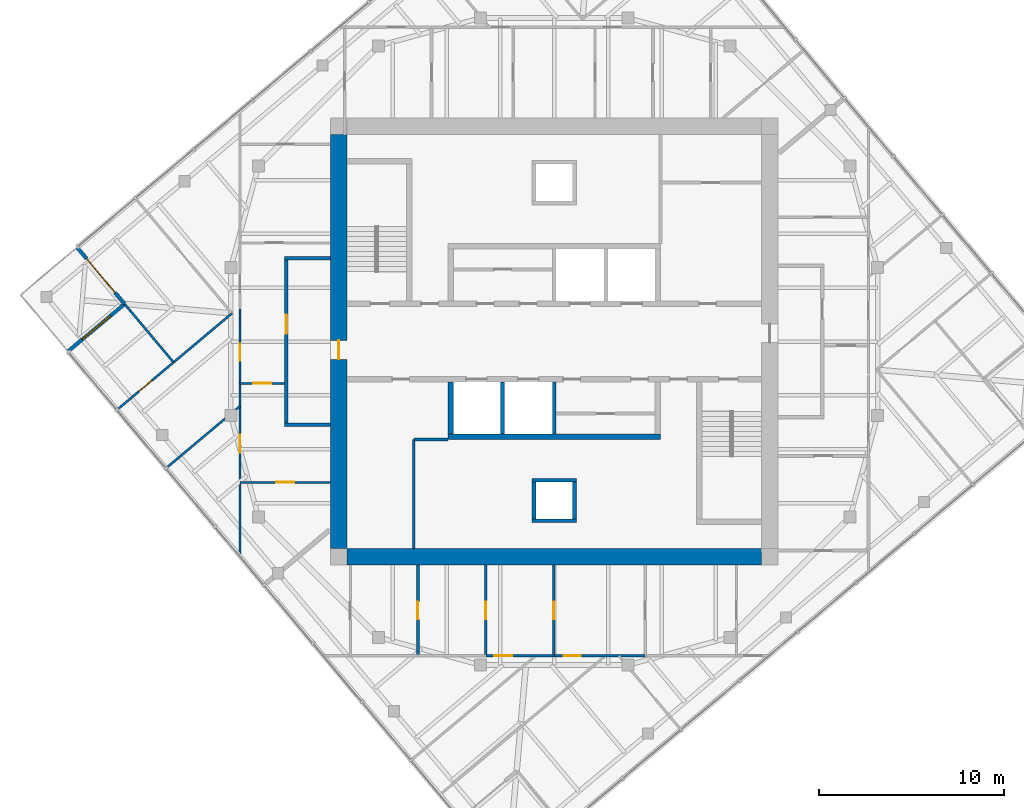
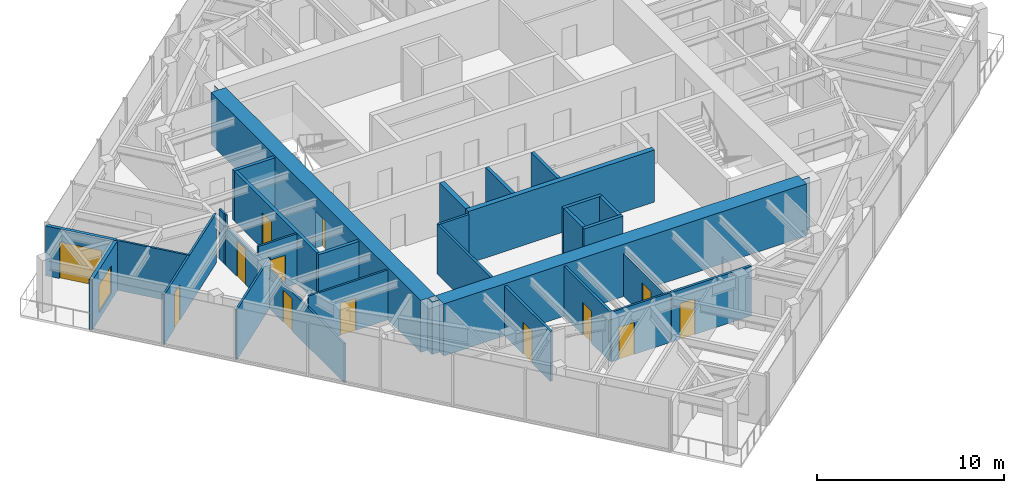
# One storey, part 7 of 12: 30 walls, 13 doors, 1 window, 14 openings.
"""IFC4 building model written with IfcOpenShell, lengths in metres."""

from ifc_helpers import new_model, si_unit, direction, frame, frame_2d, origin, place, context, subcontext, project, spatial, polyline, rectangle, outline, extrude, material, layer, layer_set, type_object, element, fill, save


model = new_model("IFC4")

# Units and contexts
model_context = context("Model", 3, precision=1e-05, world=origin(), true_north=direction((0.0, 1.0)))
body_context = subcontext(model_context, "Body", "Model", "MODEL_VIEW")
ifc_project = project(units=[si_unit("LENGTHUNIT", "METRE"), si_unit("AREAUNIT", "SQUARE_METRE"), si_unit("VOLUMEUNIT", "CUBIC_METRE"), si_unit("PLANEANGLEUNIT", "RADIAN"), si_unit("MASSUNIT", "GRAM", prefix="KILO")], contexts=[model_context])

# Site, building, storey
site_placement = place(None, origin())
site = spatial("IfcSite", under=ifc_project, at=site_placement, CompositionType="ELEMENT")
building_placement = place(site_placement, origin())
building = spatial("IfcBuilding", under=site, at=building_placement, Name="Torsade Residences", CompositionType="ELEMENT")
storey_placement = place(building_placement, frame((0.0, 0.0, 279.39990234375)))
storey = spatial("IfcBuildingStorey", under=building, at=storey_placement, Name="L77", CompositionType="ELEMENT", Elevation=279.39990234375)

# Walls
ifc_material_1 = material(Name="Concrete 80 MPa", Category="concrete")
ifc_layer_1 = layer(ifc_material_1, 0.300048828125)
ifc_layer_set_1 = layer_set([ifc_layer_1], Name="Concrete 80 MPa")
wall_type_1 = type_object("IfcWallType", Name="CORE INTERNAL WALL 300", PredefinedType="SHEAR", material=ifc_layer_set_1)
wall_1_placement = place(storey_placement, frame((45.75, 24.85009765625, 0.0), z_axis=(0.0, 0.0, 1.0), x_axis=(-1.0, 0.0, 0.0)))
element("IfcWall", 1, at=wall_1_placement, inside=storey, type_object=wall_type_1, Name="Core wall BS L77", PredefinedType="SHEAR", context=body_context, shape_type="SweptSolid", body=[
    extrude(rectangle(XDim=11.5, YDim=0.300048828125, at=frame_2d((5.75, 0.0))), origin(), (0.0, 0.0, 1.0), 3.400146484375),
])
wall_2_placement = place(storey_placement, frame((34.39990234375, 27.800048828125, 0.0), z_axis=(0.0, 0.0, 1.0), x_axis=(0.0, -1.0, 0.0)))
element("IfcWall", 2, at=wall_2_placement, inside=storey, type_object=wall_type_1, Name="Core wall DS4 L77", PredefinedType="SHEAR", context=body_context, shape_type="SweptSolid", body=[
    extrude(rectangle(XDim=2.800048828125, YDim=0.300048828125, at=frame_2d((1.39990234375, 0.0))), origin(), (0.0, 0.0, 1.0), 3.400146484375),
])
ifc_material_2 = material(Name="Concrete 80 MPa", Category="concrete")
ifc_layer_2 = layer(ifc_material_2, 0.89990234375)
ifc_layer_set_2 = layer_set([ifc_layer_2], Name="Concrete 80 MPa")
wall_type_2 = type_object("IfcWallType", Name="CORE WALL 900", PredefinedType="SHEAR", material=ifc_layer_set_2)
wall_3_placement = place(storey_placement, frame((51.199951171875, 18.35009765625, 0.0), z_axis=(0.0, 0.0, 1.0), x_axis=(-1.0, 0.0, 0.0)))
element("IfcWall", 3, at=wall_3_placement, inside=storey, type_object=wall_type_2, Name="Core wall S L77", PredefinedType="SHEAR", context=body_context, shape_type="SweptSolid", body=[
    extrude(outline(polyline([(0.0, -0.449951171875), (22.39990234375, -0.449951171875), (22.39990234375, -0.02490234375), (22.849853515625, -0.02490234375), (22.849853515625, 0.02490234375), (22.39990234375, 0.02490234375), (22.39990234375, 0.449951171875), (0.0, 0.449951171875), (0.0, 0.02490234375), (-0.449951171875, 0.02490234375), (-0.449951171875, -0.02490234375), (0.0, -0.02490234375), (0.0, -0.449951171875)])), origin(), (0.0, 0.0, 1.0), 3.400146484375),
])

# Wall, opening, door
wall_4_placement = place(storey_placement, frame((28.35009765625, 41.199951171875, 0.0), z_axis=(0.0, 0.0, 1.0), x_axis=(0.0, -1.0, 0.0)))
wall_4 = element("IfcWall", 4, at=wall_4_placement, inside=storey, type_object=wall_type_2, Name="Core wall W L77", PredefinedType="SHEAR", context=body_context, shape_type="SweptSolid", body=[
    extrude(outline(polyline([(0.0, -0.449951171875), (22.39990234375, -0.449951171875), (22.39990234375, -0.02490234375), (22.849853515625, -0.02490234375), (22.849853515625, 0.02490234375), (22.39990234375, 0.02490234375), (22.39990234375, 0.449951171875), (0.0, 0.449951171875), (0.0, 0.02490234375), (-0.449951171875, 0.02490234375), (-0.449951171875, -0.02490234375), (0.0, -0.02490234375), (0.0, -0.449951171875)])), origin(), (0.0, 0.0, 1.0), 3.400146484375),
])
opening_1_placement = place(wall_4_placement, frame((11.139892578125, 0.0, 0.0)))
opening_1 = element("IfcOpeningElement", 5, at=opening_1_placement, cuts=wall_4, Name="Opening D04", PredefinedType="OPENING", context=body_context, shape_type="SweptSolid", body=[
    extrude(rectangle(XDim=1.02001953125, YDim=2.39990234375, at=frame_2d((0.510009765625, 1.199951171875))), frame((0.0, 0.4599609375, 0.0), z_axis=(0.0, -1.0, 0.0), x_axis=(1.0, 0.0, 0.0)), (0.0, 0.0, 1.0), 0.919921875),
])
ifc_material_3 = material(Name="Steel-framed fire door", Category="steel")
door_type_1 = type_object("IfcDoorType", Name="LOBBY SMOKE DOOR 1020x2400", OperationType="NOTDEFINED", PredefinedType="DOOR", material=ifc_material_3)
door_1_placement = place(opening_1_placement, origin())
door_1 = element("IfcDoor", 6, at=door_1_placement, inside=storey, type_object=door_type_1, Name="Lift lobby door W L77", OperationType="SINGLE_SWING_RIGHT", OverallHeight=2.39990234375, OverallWidth=1.02001953125, PredefinedType="DOOR", context=body_context, shape_type="SweptSolid", body=[
    extrude(rectangle(XDim=1.02001953125, YDim=2.39990234375, at=frame_2d((0.510009765625, 1.199951171875))), frame((0.0, 0.02490234375, 0.0), z_axis=(0.0, -1.0, 0.0), x_axis=(1.0, 0.0, 0.0)), (0.0, 0.0, 1.0), 0.050048828125),
])
fill(opening_1, door_1)

ifc_material_4 = material(Name="Plasterboard on steel stud", Category="steel")
ifc_layer_3 = layer(ifc_material_4, 0.199951171875)
ifc_layer_set_3 = layer_set([ifc_layer_3], Name="Plasterboard on steel stud")
wall_type_3 = type_object("IfcWallType", Name="CORRIDOR WALL 200", PredefinedType="PARTITIONING", material=ifc_layer_set_3)
wall_5_placement = place(storey_placement, frame((25.5, 25.5, 0.0), z_axis=(0.0, 0.0, 1.0), x_axis=(0.0, 1.0, 0.0)))
wall_5 = element("IfcWall", 7, at=wall_5_placement, inside=storey, type_object=wall_type_3, Name="Corridor wall L77", PredefinedType="PARTITIONING", context=body_context, shape_type="SweptSolid", body=[
    extrude(rectangle(XDim=9.0, YDim=0.199951171875, at=frame_2d((4.5, 0.0))), origin(), (0.0, 0.0, 1.0), 3.25),
])
opening_2_placement = place(wall_5_placement, frame((4.932861328125, 0.0, 0.0)))
opening_2 = element("IfcOpeningElement", 8, at=opening_2_placement, cuts=wall_5, Name="Opening D01", PredefinedType="OPENING", context=body_context, shape_type="SweptSolid", body=[
    extrude(rectangle(XDim=1.02001953125, YDim=2.340087890625, at=frame_2d((0.510009765625, 1.169921875))), frame((0.0, 0.10986328125, 0.0), z_axis=(0.0, -1.0, 0.0), x_axis=(1.0, 0.0, 0.0)), (0.0, 0.0, 1.0), 0.219970703125),
])
ifc_material_5 = material(Name="Solid-core timber fire door", Category="wood")
door_type_2 = type_object("IfcDoorType", Name="APARTMENT ENTRY DOOR 1020x2340", OperationType="NOTDEFINED", PredefinedType="DOOR", material=ifc_material_5)
door_2_placement = place(opening_2_placement, origin())
door_2 = element("IfcDoor", 9, at=door_2_placement, inside=storey, type_object=door_type_2, Name="Door Residential corridor to Kitchen and dining", OperationType="SINGLE_SWING_LEFT", OverallHeight=2.340087890625, OverallWidth=1.02001953125, PredefinedType="DOOR", context=body_context, shape_type="SweptSolid", body=[
    extrude(rectangle(XDim=1.02001953125, YDim=2.340087890625, at=frame_2d((0.510009765625, 1.169921875))), frame((0.0, 0.02490234375, 0.0), z_axis=(0.0, -1.0, 0.0), x_axis=(1.0, 0.0, 0.0)), (0.0, 0.0, 1.0), 0.050048828125),
])
fill(opening_2, door_2)

# Walls
for number, where, z_axis, x_axis, name in (
    (10, (27.89990234375, 34.5, 0.0), (0.0, 0.0, 1.0), (-1.0, 0.0, 0.0), "Corridor wall L77"),
    (11, (27.89990234375, 25.5, 0.0), (0.0, 0.0, 1.0), (-1.0, 0.0, 0.0), "Corridor wall L77"),
):
    element("IfcWall", number, at=place(storey_placement, frame(where, z_axis=z_axis, x_axis=x_axis)), inside=storey, type_object=wall_type_3, Name=name, PredefinedType="PARTITIONING", context=body_context, shape_type="SweptSolid", body=[
        extrude(rectangle(XDim=2.5, YDim=0.199951171875, at=frame_2d((1.25, 0.0))), origin(), (0.0, 0.0, 1.0), 3.25),
    ])
ifc_material_6 = material(Name="Reinforced blockwork", Category="masonry")
ifc_layer_4 = layer(ifc_material_6, 0.199951171875)
ifc_layer_set_4 = layer_set([ifc_layer_4], Name="Reinforced blockwork")
wall_type_4 = type_object("IfcWallType", Name="LIFT SHAFT DIVIDING WALL 200", PredefinedType="SOLIDWALL", material=ifc_layer_set_4)
for number, where, z_axis, x_axis, name in (
    (12, (40.0, 27.800048828125, 0.0), (0.0, 0.0, 1.0), (0.0, -1.0, 0.0), "Core wall DS2 L77"),
    (13, (37.199951171875, 27.800048828125, 0.0), (0.0, 0.0, 1.0), (0.0, -1.0, 0.0), "Core wall DS3 L77"),
):
    element("IfcWall", number, at=place(storey_placement, frame(where, z_axis=z_axis, x_axis=x_axis)), inside=storey, type_object=wall_type_4, Name=name, PredefinedType="SOLIDWALL", context=body_context, shape_type="SweptSolid", body=[
        extrude(rectangle(XDim=2.800048828125, YDim=0.199951171875, at=frame_2d((1.39990234375, 0.0))), origin(), (0.0, 0.0, 1.0), 3.400146484375),
    ])

# Wall, opening, door
ifc_material_7 = material(Name="Plasterboard on steel stud", Category="steel")
ifc_layer_5 = layer(ifc_material_7, 0.1201171875)
ifc_layer_set_5 = layer_set([ifc_layer_5], Name="Plasterboard on steel stud")
wall_type_5 = type_object("IfcWallType", Name="PARTITION 120", PredefinedType="PARTITIONING", material=ifc_layer_set_5)
wall_6_placement = place(storey_placement, frame((39.976318359375, 13.0, 0.0), z_axis=(0.0, 0.0, 1.0), x_axis=(-1.0, 0.0, 0.0)))
wall_6 = element("IfcWall", 14, at=wall_6_placement, inside=storey, type_object=wall_type_5, Name="Partition L77", PredefinedType="PARTITIONING", context=body_context, shape_type="SweptSolid", body=[
    extrude(rectangle(XDim=3.67578125, YDim=0.1201171875, at=frame_2d((1.837890625, 0.0))), origin(), (0.0, 0.0, 1.0), 3.25),
])
opening_3_placement = place(wall_6_placement, frame((2.2607421875, 0.0, 0.0)))
opening_3 = element("IfcOpeningElement", 15, at=opening_3_placement, cuts=wall_6, Name="Opening D05", PredefinedType="OPENING", context=body_context, shape_type="SweptSolid", body=[
    extrude(rectangle(XDim=0.9599609375, YDim=2.10009765625, at=frame_2d((0.47998046875, 1.050048828125))), frame((0.0, 0.070068359375, 0.0), z_axis=(0.0, -1.0, 0.0), x_axis=(1.0, 0.0, 0.0)), (0.0, 0.0, 1.0), 0.14013671875),
])
ifc_material_8 = material(Name="Hollow-core timber door in a steel cavity frame", Category="steel")
door_type_3 = type_object("IfcDoorType", Name="BATHROOM CAVITY SLIDING DOOR 960", OperationType="SLIDING_TO_LEFT", PredefinedType="DOOR", material=ifc_material_8)
door_3_placement = place(opening_3_placement, origin())
door_3 = element("IfcDoor", 16, at=door_3_placement, inside=storey, type_object=door_type_3, Name="Door WC to Bedroom 2", OperationType="SLIDING_TO_LEFT", OverallHeight=2.10009765625, OverallWidth=0.9599609375, PredefinedType="DOOR", context=body_context, shape_type="SweptSolid", body=[
    extrude(rectangle(XDim=0.9599609375, YDim=2.10009765625, at=frame_2d((0.47998046875, 1.050048828125))), frame((0.0, 0.02490234375, 0.0), z_axis=(0.0, -1.0, 0.0), x_axis=(1.0, 0.0, 0.0)), (0.0, 0.0, 1.0), 0.050048828125),
])
fill(opening_3, door_3)

wall_7_placement = place(storey_placement, frame((25.39990234375, 27.735595703125, 0.0), z_axis=(0.0, 0.0, 1.0), x_axis=(-1.0, 0.0, 0.0)))
wall_7 = element("IfcWall", 17, at=wall_7_placement, inside=storey, type_object=wall_type_5, Name="Partition L77", PredefinedType="PARTITIONING", context=body_context, shape_type="SweptSolid", body=[
    extrude(rectangle(XDim=2.39990234375, YDim=0.1201171875, at=frame_2d((1.199951171875, 0.0))), origin(), (0.0, 0.0, 1.0), 3.25),
])
opening_4_placement = place(wall_7_placement, frame((0.719970703125, 0.0, 0.0)))
opening_4 = element("IfcOpeningElement", 18, at=opening_4_placement, cuts=wall_7, Name="Opening D05", PredefinedType="OPENING", context=body_context, shape_type="SweptSolid", body=[
    extrude(rectangle(XDim=0.9599609375, YDim=2.10009765625, at=frame_2d((0.47998046875, 1.050048828125))), frame((0.0, 0.070068359375, 0.0), z_axis=(0.0, -1.0, 0.0), x_axis=(1.0, 0.0, 0.0)), (0.0, 0.0, 1.0), 0.14013671875),
])
door_4_placement = place(opening_4_placement, origin())
door_4 = element("IfcDoor", 19, at=door_4_placement, inside=storey, type_object=door_type_3, Name="Door Kitchen and dining to Bathroom", OperationType="SLIDING_TO_LEFT", OverallHeight=2.10009765625, OverallWidth=0.9599609375, PredefinedType="DOOR", context=body_context, shape_type="SweptSolid", body=[
    extrude(rectangle(XDim=0.9599609375, YDim=2.10009765625, at=frame_2d((0.47998046875, 1.050048828125))), frame((0.0, 0.02490234375, 0.0), z_axis=(0.0, -1.0, 0.0), x_axis=(1.0, 0.0, 0.0)), (0.0, 0.0, 1.0), 0.050048828125),
])
fill(opening_4, door_4)

# Wall
wall_8_placement = place(storey_placement, frame((23.0, 31.257568359375, 0.0), z_axis=(0.0, 0.0, 1.0), x_axis=(0.0, 1.0, 0.0)))
element("IfcWall", 20, at=wall_8_placement, inside=storey, type_object=wall_type_5, Name="Partition L77", PredefinedType="PARTITIONING", context=body_context, shape_type="SweptSolid", body=[
    extrude(rectangle(XDim=0.503662109375, YDim=0.1201171875, at=frame_2d((0.251953125, 0.0))), origin(), (0.0, 0.0, 1.0), 3.25),
])

# Wall, openings, doors
wall_9_placement = place(storey_placement, frame((23.0, 18.4296875, 0.0), z_axis=(0.0, 0.0, 1.0), x_axis=(0.0, 1.0, 0.0)))
wall_9 = element("IfcWall", 21, at=wall_9_placement, inside=storey, type_object=wall_type_5, Name="Partition L77", PredefinedType="PARTITIONING", context=body_context, shape_type="SweptSolid", body=[
    extrude(rectangle(XDim=12.65576171875, YDim=0.1201171875, at=frame_2d((6.327880859375, 0.0))), origin(), (0.0, 0.0, 1.0), 2.550048828125),
])
opening_5_placement = place(wall_9_placement, frame((10.520751953125, 0.0, 0.0)))
opening_5 = element("IfcOpeningElement", 22, at=opening_5_placement, cuts=wall_9, Name="Opening D02", PredefinedType="OPENING", context=body_context, shape_type="SweptSolid", body=[
    extrude(rectangle(XDim=0.919921875, YDim=2.340087890625, at=frame_2d((0.4599609375, 1.169921875))), frame((0.0, 0.070068359375, 0.0), z_axis=(0.0, -1.0, 0.0), x_axis=(1.0, 0.0, 0.0)), (0.0, 0.0, 1.0), 0.14013671875),
])
opening_6_placement = place(wall_9_placement, frame((5.5654296875, 0.0, 0.0)))
opening_6 = element("IfcOpeningElement", 23, at=opening_6_placement, cuts=wall_9, Name="Opening D05", PredefinedType="OPENING", context=body_context, shape_type="SweptSolid", body=[
    extrude(rectangle(XDim=0.9599609375, YDim=2.10009765625, at=frame_2d((0.47998046875, 1.050048828125))), frame((0.0, 0.070068359375, 0.0), z_axis=(0.0, -1.0, 0.0), x_axis=(1.0, 0.0, 0.0)), (0.0, 0.0, 1.0), 0.14013671875),
])
door_5_placement = place(opening_6_placement, origin())
door_5 = element("IfcDoor", 24, at=door_5_placement, inside=storey, type_object=door_type_3, Name="Door Bathroom to Media room", OperationType="SLIDING_TO_LEFT", OverallHeight=2.10009765625, OverallWidth=0.9599609375, PredefinedType="DOOR", context=body_context, shape_type="SweptSolid", body=[
    extrude(rectangle(XDim=0.9599609375, YDim=2.10009765625, at=frame_2d((0.47998046875, 1.050048828125))), frame((0.0, 0.02490234375, 0.0), z_axis=(0.0, -1.0, 0.0), x_axis=(1.0, 0.0, 0.0)), (0.0, 0.0, 1.0), 0.050048828125),
])
fill(opening_6, door_5)
ifc_material_9 = material(Name="Hollow-core timber door", Category="wood")
door_type_4 = type_object("IfcDoorType", Name="INTERNAL DOOR 920x2340", OperationType="NOTDEFINED", PredefinedType="DOOR", material=ifc_material_9)
door_6_placement = place(opening_5_placement, origin())
door_6 = element("IfcDoor", 25, at=door_6_placement, inside=storey, type_object=door_type_4, Name="Door Kitchen and dining to Bedroom 5", OperationType="SINGLE_SWING_LEFT", OverallHeight=2.340087890625, OverallWidth=0.919921875, PredefinedType="DOOR", context=body_context, shape_type="SweptSolid", body=[
    extrude(rectangle(XDim=0.919921875, YDim=2.340087890625, at=frame_2d((0.4599609375, 1.169921875))), frame((0.0, 0.02490234375, 0.0), z_axis=(0.0, -1.0, 0.0), x_axis=(1.0, 0.0, 0.0)), (0.0, 0.0, 1.0), 0.050048828125),
])
fill(opening_5, door_6)

# Wall, opening, door
wall_10_placement = place(storey_placement, frame((27.89990234375, 22.3798828125, 0.0), z_axis=(0.0, 0.0, 1.0), x_axis=(-1.0, 0.0, 0.0)))
wall_10 = element("IfcWall", 26, at=wall_10_placement, inside=storey, type_object=wall_type_5, Name="Partition L77", PredefinedType="PARTITIONING", context=body_context, shape_type="SweptSolid", body=[
    extrude(rectangle(XDim=4.89990234375, YDim=0.1201171875, at=frame_2d((2.449951171875, 0.0))), origin(), (0.0, 0.0, 1.0), 3.25),
])
opening_7_placement = place(wall_10_placement, frame((1.969970703125, 0.0, 0.0)))
opening_7 = element("IfcOpeningElement", 27, at=opening_7_placement, cuts=wall_10, Name="Opening D05", PredefinedType="OPENING", context=body_context, shape_type="SweptSolid", body=[
    extrude(rectangle(XDim=0.9599609375, YDim=2.10009765625, at=frame_2d((0.47998046875, 1.050048828125))), frame((0.0, 0.070068359375, 0.0), z_axis=(0.0, -1.0, 0.0), x_axis=(1.0, 0.0, 0.0)), (0.0, 0.0, 1.0), 0.14013671875),
])
door_7_placement = place(opening_7_placement, origin())
door_7 = element("IfcDoor", 28, at=door_7_placement, inside=storey, type_object=door_type_3, Name="Door Bathroom to Dressing room", OperationType="SLIDING_TO_LEFT", OverallHeight=2.10009765625, OverallWidth=0.9599609375, PredefinedType="DOOR", context=body_context, shape_type="SweptSolid", body=[
    extrude(rectangle(XDim=0.9599609375, YDim=2.10009765625, at=frame_2d((0.47998046875, 1.050048828125))), frame((0.0, 0.02490234375, 0.0), z_axis=(0.0, -1.0, 0.0), x_axis=(1.0, 0.0, 0.0)), (0.0, 0.0, 1.0), 0.050048828125),
])
fill(opening_7, door_7)

wall_11_placement = place(storey_placement, frame((22.565673828125, 31.525390625, 0.0), z_axis=(0.0, 0.0, 1.0), x_axis=(-0.766033729027, -0.642800378028, 0.0)))
wall_11 = element("IfcWall", 29, at=wall_11_placement, inside=storey, type_object=wall_type_5, Name="Partition L77", PredefinedType="PARTITIONING", context=body_context, shape_type="SweptSolid", body=[
    extrude(rectangle(XDim=8.0849609375, YDim=0.1201171875, at=frame_2d((4.04248046875, 0.0))), origin(), (0.0, 0.0, 1.0), 3.25),
])
opening_8_placement = place(wall_11_placement, frame((5.639892578125, 0.0, 0.0)))
opening_8 = element("IfcOpeningElement", 30, at=opening_8_placement, cuts=wall_11, Name="Opening D02", PredefinedType="OPENING", context=body_context, shape_type="SweptSolid", body=[
    extrude(rectangle(XDim=0.919921875, YDim=2.340087890625, at=frame_2d((0.4599609375, 1.169921875))), frame((0.0, 0.070068359375, 0.0), z_axis=(0.0, -1.0, 0.0), x_axis=(1.0, 0.0, 0.0)), (0.0, 0.0, 1.0), 0.14013671875),
])
door_8_placement = place(opening_8_placement, origin())
door_8 = element("IfcDoor", 31, at=door_8_placement, inside=storey, type_object=door_type_4, Name="Door Bedroom 5 to Study 2", OperationType="SINGLE_SWING_LEFT", OverallHeight=2.340087890625, OverallWidth=0.919921875, PredefinedType="DOOR", context=body_context, shape_type="SweptSolid", body=[
    extrude(rectangle(XDim=0.919921875, YDim=2.340087890625, at=frame_2d((0.4599609375, 1.169921875))), frame((0.0, 0.02490234375, 0.0), z_axis=(0.0, -1.0, 0.0), x_axis=(1.0, 0.0, 0.0)), (0.0, 0.0, 1.0), 0.050048828125),
])
fill(opening_8, door_8)

# Walls
wall_12_placement = place(storey_placement, frame((19.40576171875, 28.873779296875, 0.0), z_axis=(0.0, 0.0, 1.0), x_axis=(-0.642767300664, 0.766061483953, 0.0)))
element("IfcWall", 32, at=wall_12_placement, inside=storey, type_object=wall_type_5, Name="Partition L77", PredefinedType="PARTITIONING", context=body_context, shape_type="SweptSolid", body=[
    extrude(rectangle(XDim=4.0849609375, YDim=0.1201171875, at=frame_2d((2.04248046875, 0.0))), origin(), (0.0, 0.0, 1.0), 3.25),
])
wall_13_placement = place(storey_placement, frame((23.0, 26.5048828125, 0.0), z_axis=(0.0, 0.0, 1.0), x_axis=(-0.76605407051, -0.642776136034, 0.0)))
element("IfcWall", 33, at=wall_13_placement, inside=storey, type_object=wall_type_5, Name="Partition L77", PredefinedType="PARTITIONING", context=body_context, shape_type="SweptSolid", body=[
    extrude(rectangle(XDim=5.190673828125, YDim=0.1201171875, at=frame_2d((2.59521484375, 0.0))), origin(), (0.0, 0.0, 1.0), 3.25),
])
wall_14_placement = place(storey_placement, frame((23.0, 31.257568359375, 0.0), z_axis=(0.0, 0.0, 1.0), x_axis=(0.0, -1.0, 0.0)))
element("IfcWall", 34, at=wall_14_placement, inside=storey, type_object=wall_type_5, Name="Partition L77", PredefinedType="PARTITIONING", context=body_context, shape_type="SweptSolid", body=[
    extrude(rectangle(XDim=0.172119140625, YDim=0.1201171875, at=frame_2d((0.0859375, 0.0))), origin(), (0.0, 0.0, 1.0), 3.25),
])
ifc_material_10 = material(Name="Reinforced blockwork", Category="masonry")
ifc_layer_6 = layer(ifc_material_10, 0.199951171875)
ifc_layer_set_6 = layer_set([ifc_layer_6], Name="Reinforced blockwork")
wall_type_6 = type_object("IfcWallType", Name="RISER SHAFT WALL 200", PredefinedType="SOLIDWALL", material=ifc_layer_set_6)
for number, where, z_axis, x_axis, name in (
    (35, (38.89990234375, 22.39990234375, 0.0), (0.0, 0.0, 1.0), (0.0, -1.0, 0.0), "Core wall RS2a L77"),
    (36, (41.10009765625, 22.39990234375, 0.0), (0.0, 0.0, 1.0), (0.0, -1.0, 0.0), "Core wall RS2b L77"),
):
    element("IfcWall", number, at=place(storey_placement, frame(where, z_axis=z_axis, x_axis=x_axis)), inside=storey, type_object=wall_type_6, Name=name, PredefinedType="SOLIDWALL", context=body_context, shape_type="SweptSolid", body=[
        extrude(rectangle(XDim=2.0, YDim=0.199951171875, at=frame_2d((1.0, 0.0))), origin(), (0.0, 0.0, 1.0), 3.400146484375),
    ])
for number, where, z_axis, x_axis, name in (
    (37, (38.800048828125, 22.5, 0.0), (0.0, 0.0, 1.0), (1.0, 0.0, 0.0), "Core wall RS2c L77"),
    (38, (38.800048828125, 20.300048828125, 0.0), (0.0, 0.0, 1.0), (1.0, 0.0, 0.0), "Core wall RS2d L77"),
):
    element("IfcWall", number, at=place(storey_placement, frame(where, z_axis=z_axis, x_axis=x_axis)), inside=storey, type_object=wall_type_6, Name=name, PredefinedType="SOLIDWALL", context=body_context, shape_type="SweptSolid", body=[
        extrude(rectangle(XDim=2.39990234375, YDim=0.199951171875, at=frame_2d((1.199951171875, 0.0))), origin(), (0.0, 0.0, 1.0), 3.400146484375),
    ])
ifc_material_11 = material(Name="Reinforced blockwork", Category="masonry")
ifc_layer_7 = layer(ifc_material_11, 0.14990234375)
ifc_layer_set_7 = layer_set([ifc_layer_7], Name="Reinforced blockwork")
wall_type_7 = type_object("IfcWallType", Name="SERVICE ROOM WALL 150", PredefinedType="SOLIDWALL", material=ifc_layer_set_7)
wall_15_placement = place(storey_placement, frame((32.39990234375, 18.800048828125, 0.0), z_axis=(0.0, 0.0, 1.0), x_axis=(0.0, 1.0, 0.0)))
element("IfcWall", 39, at=wall_15_placement, inside=storey, type_object=wall_type_7, Name="Service room wall L77", PredefinedType="SOLIDWALL", context=body_context, shape_type="SweptSolid", body=[
    extrude(rectangle(XDim=5.89990234375, YDim=0.14990234375, at=frame_2d((2.949951171875, 0.0))), origin(), (0.0, 0.0, 1.0), 3.25),
])
wall_16_placement = place(storey_placement, frame((32.39990234375, 24.699951171875, 0.0), z_axis=(0.0, 0.0, 1.0), x_axis=(1.0, 0.0, 0.0)))
element("IfcWall", 40, at=wall_16_placement, inside=storey, type_object=wall_type_7, Name="Service room wall L77", PredefinedType="SOLIDWALL", context=body_context, shape_type="SweptSolid", body=[
    extrude(rectangle(XDim=1.85009765625, YDim=0.14990234375, at=frame_2d((0.925048828125, 0.0))), origin(), (0.0, 0.0, 1.0), 3.25),
])

# Wall, opening, door
wall_17_placement = place(storey_placement, frame((32.625, 17.89990234375, 0.0), z_axis=(0.0, 0.0, 1.0), x_axis=(0.0, -1.0, 0.0)))
wall_17 = element("IfcWall", 41, at=wall_17_placement, inside=storey, type_object=wall_type_7, Name="Service room wall L77", PredefinedType="SOLIDWALL", context=body_context, shape_type="SweptSolid", body=[
    extrude(rectangle(XDim=4.89990234375, YDim=0.14990234375, at=frame_2d((2.449951171875, 0.0))), origin(), (0.0, 0.0, 1.0), 3.25),
])
opening_9_placement = place(wall_17_placement, frame((1.969970703125, 0.0, 0.0)))
opening_9 = element("IfcOpeningElement", 42, at=opening_9_placement, cuts=wall_17, Name="Opening D05", PredefinedType="OPENING", context=body_context, shape_type="SweptSolid", body=[
    extrude(rectangle(XDim=0.9599609375, YDim=2.10009765625, at=frame_2d((0.47998046875, 1.050048828125))), frame((0.0, 0.0849609375, 0.0), z_axis=(0.0, -1.0, 0.0), x_axis=(1.0, 0.0, 0.0)), (0.0, 0.0, 1.0), 0.169921875),
])
door_9_placement = place(opening_9_placement, origin())
door_9 = element("IfcDoor", 43, at=door_9_placement, inside=storey, type_object=door_type_3, Name="Door Linen store to Ensuite", OperationType="SLIDING_TO_LEFT", OverallHeight=2.10009765625, OverallWidth=0.9599609375, PredefinedType="DOOR", context=body_context, shape_type="SweptSolid", body=[
    extrude(rectangle(XDim=0.9599609375, YDim=2.10009765625, at=frame_2d((0.47998046875, 1.050048828125))), frame((0.0, 0.02490234375, 0.0), z_axis=(0.0, -1.0, 0.0), x_axis=(1.0, 0.0, 0.0)), (0.0, 0.0, 1.0), 0.050048828125),
])
fill(opening_9, door_9)

wall_18_placement = place(storey_placement, frame((36.300537109375, 13.0, 0.0), z_axis=(0.0, 0.0, 1.0), x_axis=(0.0, 1.0, 0.0)))
wall_18 = element("IfcWall", 44, at=wall_18_placement, inside=storey, type_object=wall_type_7, Name="Service room wall L77", PredefinedType="SOLIDWALL", context=body_context, shape_type="SweptSolid", body=[
    extrude(rectangle(XDim=4.89990234375, YDim=0.14990234375, at=frame_2d((2.449951171875, 0.0))), origin(), (0.0, 0.0, 1.0), 3.25),
])
opening_10_placement = place(wall_18_placement, frame((1.969970703125, 0.0, 0.0)))
opening_10 = element("IfcOpeningElement", 45, at=opening_10_placement, cuts=wall_18, Name="Opening D05", PredefinedType="OPENING", context=body_context, shape_type="SweptSolid", body=[
    extrude(rectangle(XDim=0.9599609375, YDim=2.10009765625, at=frame_2d((0.47998046875, 1.050048828125))), frame((0.0, 0.0849609375, 0.0), z_axis=(0.0, -1.0, 0.0), x_axis=(1.0, 0.0, 0.0)), (0.0, 0.0, 1.0), 0.169921875),
])
door_10_placement = place(opening_10_placement, origin())
door_10 = element("IfcDoor", 46, at=door_10_placement, inside=storey, type_object=door_type_3, Name="Door WC to Linen store", OperationType="SLIDING_TO_LEFT", OverallHeight=2.10009765625, OverallWidth=0.9599609375, PredefinedType="DOOR", context=body_context, shape_type="SweptSolid", body=[
    extrude(rectangle(XDim=0.9599609375, YDim=2.10009765625, at=frame_2d((0.47998046875, 1.050048828125))), frame((0.0, 0.02490234375, 0.0), z_axis=(0.0, -1.0, 0.0), x_axis=(1.0, 0.0, 0.0)), (0.0, 0.0, 1.0), 0.050048828125),
])
fill(opening_10, door_10)

wall_19_placement = place(storey_placement, frame((39.976318359375, 17.89990234375, 0.0), z_axis=(0.0, 0.0, 1.0), x_axis=(0.0, -1.0, 0.0)))
wall_19 = element("IfcWall", 47, at=wall_19_placement, inside=storey, type_object=wall_type_7, Name="Service room wall L77", PredefinedType="SOLIDWALL", context=body_context, shape_type="SweptSolid", body=[
    extrude(rectangle(XDim=4.89990234375, YDim=0.14990234375, at=frame_2d((2.449951171875, 0.0))), origin(), (0.0, 0.0, 1.0), 2.796142578125),
])
opening_11_placement = place(wall_19_placement, frame((1.969970703125, 0.0, 0.0)))
opening_11 = element("IfcOpeningElement", 48, at=opening_11_placement, cuts=wall_19, Name="Opening D05", PredefinedType="OPENING", context=body_context, shape_type="SweptSolid", body=[
    extrude(rectangle(XDim=0.9599609375, YDim=2.10009765625, at=frame_2d((0.47998046875, 1.050048828125))), frame((0.0, 0.0849609375, 0.0), z_axis=(0.0, -1.0, 0.0), x_axis=(1.0, 0.0, 0.0)), (0.0, 0.0, 1.0), 0.169921875),
])
door_11_placement = place(opening_11_placement, origin())
door_11 = element("IfcDoor", 49, at=door_11_placement, inside=storey, type_object=door_type_3, Name="Door Linen store 2 to WC", OperationType="SLIDING_TO_LEFT", OverallHeight=2.10009765625, OverallWidth=0.9599609375, PredefinedType="DOOR", context=body_context, shape_type="SweptSolid", body=[
    extrude(rectangle(XDim=0.9599609375, YDim=2.10009765625, at=frame_2d((0.47998046875, 1.050048828125))), frame((0.0, 0.02490234375, 0.0), z_axis=(0.0, -1.0, 0.0), x_axis=(1.0, 0.0, 0.0)), (0.0, 0.0, 1.0), 0.050048828125),
])
fill(opening_11, door_11)

wall_20_placement = place(storey_placement, frame((44.91796875, 13.0, 0.0), z_axis=(0.0, 0.0, 1.0), x_axis=(-1.0, 0.0, 0.0)))
wall_20 = element("IfcWall", 50, at=wall_20_placement, inside=storey, type_object=wall_type_7, Name="Service room wall L77", PredefinedType="SOLIDWALL", context=body_context, shape_type="SweptSolid", body=[
    extrude(rectangle(XDim=4.941650390625, YDim=0.14990234375, at=frame_2d((2.470703125, 0.0))), origin(), (0.0, 0.0, 1.0), 3.25),
])
opening_12_placement = place(wall_20_placement, frame((3.493896484375, 0.0, 0.0)))
opening_12 = element("IfcOpeningElement", 51, at=opening_12_placement, cuts=wall_20, Name="Opening D02", PredefinedType="OPENING", context=body_context, shape_type="SweptSolid", body=[
    extrude(rectangle(XDim=0.919921875, YDim=2.340087890625, at=frame_2d((0.4599609375, 1.169921875))), frame((0.0, 0.0849609375, 0.0), z_axis=(0.0, -1.0, 0.0), x_axis=(1.0, 0.0, 0.0)), (0.0, 0.0, 1.0), 0.169921875),
])
door_12_placement = place(opening_12_placement, origin())
door_12 = element("IfcDoor", 52, at=door_12_placement, inside=storey, type_object=door_type_4, Name="Door Linen store 2 to Bedroom 5", OperationType="SINGLE_SWING_LEFT", OverallHeight=2.340087890625, OverallWidth=0.919921875, PredefinedType="DOOR", context=body_context, shape_type="SweptSolid", body=[
    extrude(rectangle(XDim=0.919921875, YDim=2.340087890625, at=frame_2d((0.4599609375, 1.169921875))), frame((0.0, 0.02490234375, 0.0), z_axis=(0.0, -1.0, 0.0), x_axis=(1.0, 0.0, 0.0)), (0.0, 0.0, 1.0), 0.050048828125),
])
fill(opening_12, door_12)

ifc_material_12 = material(Name="Stone-faced precast concrete 40 MPa panel", Category="masonry")
ifc_layer_8 = layer(ifc_material_12, 0.199951171875)
ifc_layer_set_8 = layer_set([ifc_layer_8], Name="Stone-faced precast concrete 40 MPa panel")
wall_type_8 = type_object("IfcWallType", Name="TERRACE WALL 200", PredefinedType="SOLIDWALL", material=ifc_layer_set_8)
wall_21_placement = place(storey_placement, frame((14.18310546875, 35.097900390625, 0.0), z_axis=(0.0, 0.0, 1.0), x_axis=(0.642768287094, -0.766060656284, 0.0)))
wall_21 = element("IfcWall", 53, at=wall_21_placement, inside=storey, type_object=wall_type_8, Name="Terrace wall L77 8", PredefinedType="SOLIDWALL", context=body_context, shape_type="SweptSolid", body=[
    extrude(rectangle(XDim=4.0, YDim=0.199951171875, at=frame_2d((2.0, 0.0))), origin(), (0.0, 0.0, 1.0), 3.25),
])
opening_13_placement = place(wall_21_placement, frame((0.800048828125, 0.0, 0.0)))
opening_13 = element("IfcOpeningElement", 54, at=opening_13_placement, cuts=wall_21, Name="Opening D10", PredefinedType="OPENING", context=body_context, shape_type="SweptSolid", body=[
    extrude(rectangle(XDim=2.39990234375, YDim=2.39990234375, at=frame_2d((1.199951171875, 1.199951171875))), frame((0.0, 0.10986328125, 0.0), z_axis=(0.0, -1.0, 0.0), x_axis=(1.0, 0.0, 0.0)), (0.0, 0.0, 1.0), 0.219970703125),
])
ifc_material_13 = material(Name="Aluminium-framed glass door", Category="aluminium")
door_type_5 = type_object("IfcDoorType", Name="TERRACE SLIDING DOOR 2400", OperationType="SLIDING_TO_LEFT", PredefinedType="DOOR", material=ifc_material_13)
door_13_placement = place(opening_13_placement, origin())
door_13 = element("IfcDoor", 55, at=door_13_placement, inside=storey, type_object=door_type_5, Name="Terrace door L77 8", OperationType="SLIDING_TO_LEFT", OverallHeight=2.39990234375, OverallWidth=2.39990234375, PredefinedType="DOOR", context=body_context, shape_type="SweptSolid", body=[
    extrude(rectangle(XDim=2.39990234375, YDim=2.39990234375, at=frame_2d((1.199951171875, 1.199951171875))), frame((0.0, 0.02490234375, 0.0), z_axis=(0.0, -1.0, 0.0), x_axis=(1.0, 0.0, 0.0)), (0.0, 0.0, 1.0), 0.050048828125),
])
fill(opening_13, door_13)

# Wall, opening, window
wall_22_placement = place(storey_placement, frame((16.754150390625, 32.03369140625, 0.0), z_axis=(0.0, 0.0, 1.0), x_axis=(-0.766035437498, -0.642798342015, 0.0)))
wall_22 = element("IfcWall", 56, at=wall_22_placement, inside=storey, type_object=wall_type_8, Name="Terrace wall L77 9", PredefinedType="SOLIDWALL", context=body_context, shape_type="SweptSolid", body=[
    extrude(rectangle(XDim=3.999755859375, YDim=0.199951171875, at=frame_2d((2.0, 0.0))), origin(), (0.0, 0.0, 1.0), 3.25),
])
opening_14_placement = place(wall_22_placement, frame((1.0, 0.0, 0.449951171875)))
opening_14 = element("IfcOpeningElement", 57, at=opening_14_placement, cuts=wall_22, Name="Opening W1B", PredefinedType="OPENING", context=body_context, shape_type="SweptSolid", body=[
    extrude(rectangle(XDim=2.0, YDim=1.800048828125, at=frame_2d((1.0, 0.89990234375))), frame((0.0, 0.10986328125, 0.0), z_axis=(0.0, -1.0, 0.0), x_axis=(1.0, 0.0, 0.0)), (0.0, 0.0, 1.0), 0.219970703125),
])
ifc_material_14 = material(Name="Aluminium-framed glass window", Category="aluminium")
window_type = type_object("IfcWindowType", Name="TERRACE WINDOW 2000x1800", PartitioningType="SINGLE_PANEL", PredefinedType="WINDOW", material=ifc_material_14)
window_placement = place(opening_14_placement, origin())
window = element("IfcWindow", 58, at=window_placement, inside=storey, type_object=window_type, Name="Terrace window L77 9", OverallHeight=1.800048828125, OverallWidth=2.0, PartitioningType="SINGLE_PANEL", PredefinedType="WINDOW", context=body_context, shape_type="SweptSolid", body=[
    extrude(rectangle(XDim=2.0, YDim=1.800048828125, at=frame_2d((1.0, 0.89990234375))), frame((0.0, 0.030029296875, 0.0), z_axis=(0.0, -1.0, 0.0), x_axis=(1.0, 0.0, 0.0)), (0.0, 0.0, 1.0), 0.06005859375),
])
fill(opening_14, window)

save(model, "model.ifc")
